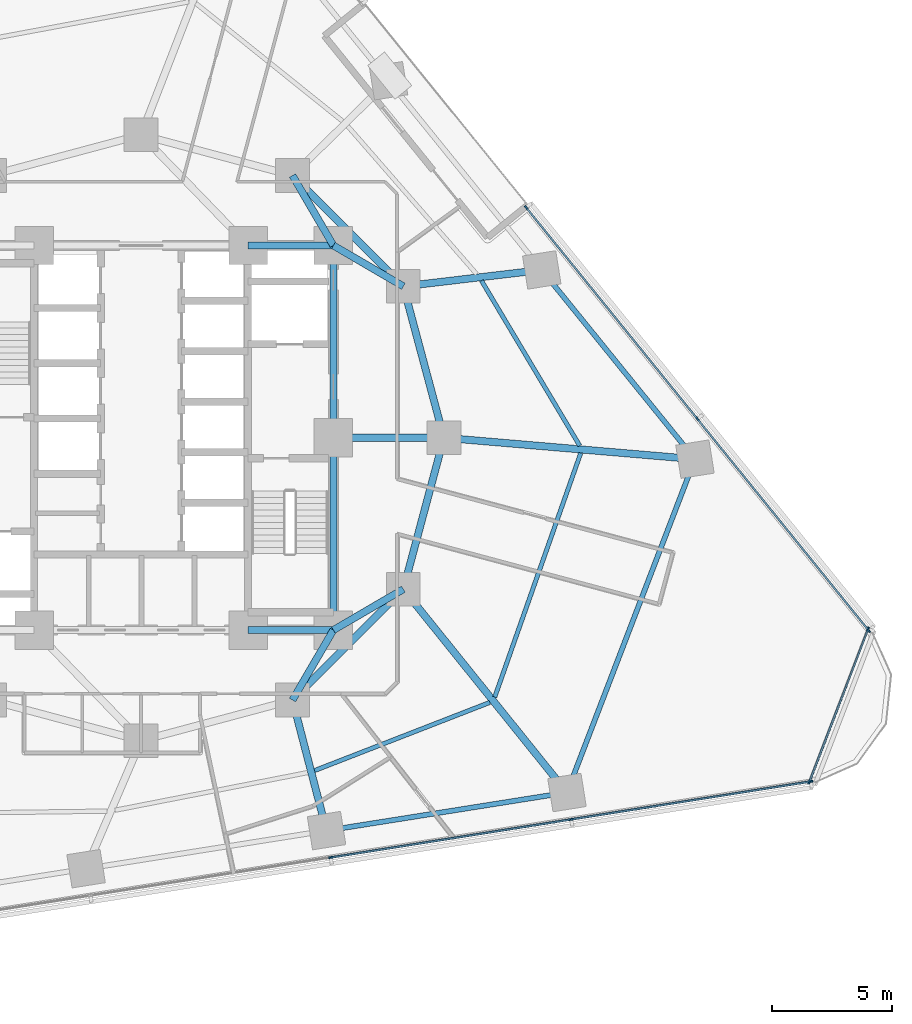
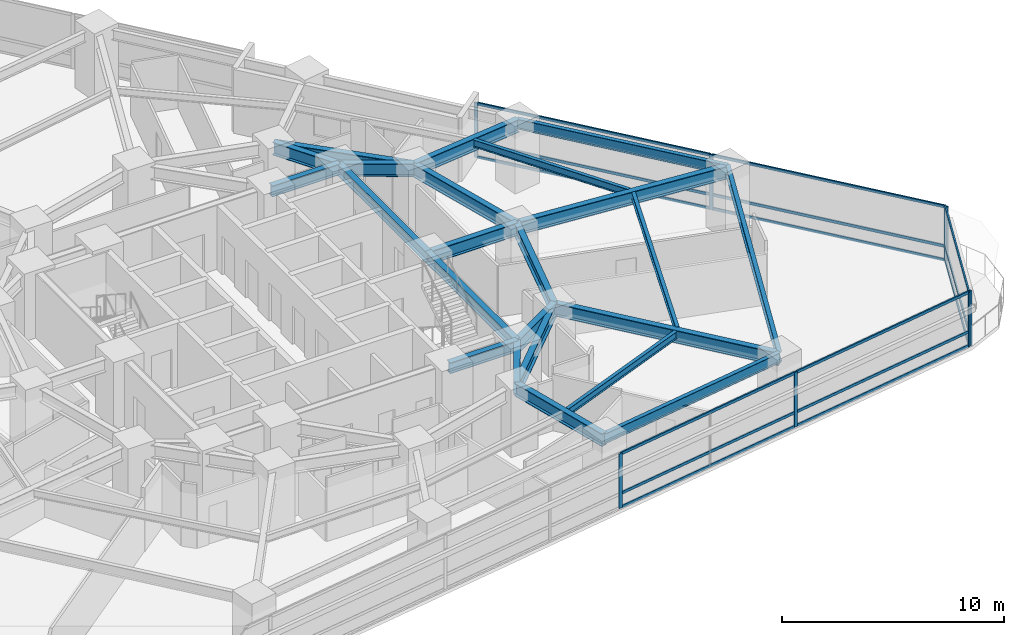
# One storey, part 4 of 13: 23 beams, 23 members, 3 elements without a shape of their own.
"""IFC4 building model written with IfcOpenShell, lengths in metres."""

import ifcopenshell
import ifcopenshell.guid

model = None  # the IFC model being written
_history = None  # IfcOwnerHistory: only IFC2X3 demands one
_inside = {}  # id of a spatial element -> (the spatial element, [elements in it])
_under = {}  # id of a project, library or spatial element -> (it, [spatial elements below it])
_declared = {}  # id of a project -> (the project, [libraries it declares])
_typed = {}  # id of a type object -> (the type object, [elements of that type])
_made_of = {}  # id of a material, layer set ... -> (it, [elements and type objects made of it])


def new_model(schema):
    """Start an empty IFC model of exactly this schema.

    Asked for "IFC4X3", IfcOpenShell would pick the latest addendum, in which some entities
    have other attributes; the version numbers below select the first issue.
    IFC2X3 requires an IfcOwnerHistory on every rooted entity: one is made here for all.
    """
    global model, _history
    if schema == "IFC4X3":
        model = ifcopenshell.file(schema_version=(4, 3, 0, 0))
    else:
        model = ifcopenshell.file(schema=schema)
    _inside.clear()
    _under.clear()
    _declared.clear()
    _typed.clear()
    _made_of.clear()
    _history = None
    if model.schema == "IFC2X3":
        org = make("IfcOrganization", Name="unknown")
        user = make(
            "IfcPersonAndOrganization",
            ThePerson=make("IfcPerson", FamilyName="unknown"),
            TheOrganization=org,
        )
        app = make(
            "IfcApplication",
            ApplicationDeveloper=org,
            Version="unknown",
            ApplicationFullName="unknown",
            ApplicationIdentifier="unknown",
        )
        _history = make(
            "IfcOwnerHistory",
            OwningUser=user,
            OwningApplication=app,
            ChangeAction="ADDED",
            CreationDate=0,
        )
    return model


def make(cls, **values):
    """One entity of the class cls with the attributes given. An attribute that is None is left unset."""
    return model.create_entity(
        cls, **{name: value for name, value in values.items() if value is not None}
    )


def rooted(cls, **values):
    """An entity with a GlobalId (a new one), such as an element, a storey or a relation."""
    return make(cls, GlobalId=ifcopenshell.guid.new(), OwnerHistory=_history, **values)


def si_unit(unit_type, name, prefix=None):
    """IfcSIUnit, for example si_unit("LENGTHUNIT", "METRE", prefix="MILLI")."""
    return make("IfcSIUnit", UnitType=unit_type, Prefix=prefix, Name=name)


def assignment(units):
    """IfcUnitAssignment: the units of a project."""
    return None if units is None else make("IfcUnitAssignment", Units=units)


def point(xyz):
    """IfcCartesianPoint."""
    return None if xyz is None else make("IfcCartesianPoint", Coordinates=xyz)


def direction(xyz):
    """IfcDirection."""
    return None if xyz is None else make("IfcDirection", DirectionRatios=xyz)


def frame(location, z_axis=None, x_axis=None):
    """IfcAxis2Placement3D, a coordinate frame: its origin and axes. An axis left out is left unset."""
    return make(
        "IfcAxis2Placement3D",
        Location=point(location),
        Axis=direction(z_axis),
        RefDirection=direction(x_axis),
    )


def frame_2d(location, x_axis=None):
    """IfcAxis2Placement2D, a coordinate frame in the plane: its origin and x axis."""
    return make(
        "IfcAxis2Placement2D", Location=point(location), RefDirection=direction(x_axis)
    )


def origin():
    """The frame at (0, 0, 0) with its axes left unset."""
    return frame((0.0, 0.0, 0.0))


def origin_2d():
    """The frame at (0, 0) in the plane with its x axis left unset."""
    return frame_2d((0.0, 0.0))


def place(relative_to, where):
    """IfcLocalPlacement: puts the frame where relative to a parent placement (None: the world)."""
    return make(
        "IfcLocalPlacement", PlacementRelTo=relative_to, RelativePlacement=where
    )


def context(
    kind, dimensions, precision=None, world=None, true_north=None, identifier=None
):
    """IfcGeometricRepresentationContext, for example the 3D "Model" context."""
    return make(
        "IfcGeometricRepresentationContext",
        ContextIdentifier=identifier,
        ContextType=kind,
        CoordinateSpaceDimension=dimensions,
        Precision=precision,
        WorldCoordinateSystem=world,
        TrueNorth=true_north,
    )


def subcontext(parent, identifier, kind, view, scale=None):
    """IfcGeometricRepresentationSubContext, for example "Body" below "Model"."""
    return make(
        "IfcGeometricRepresentationSubContext",
        ContextIdentifier=identifier,
        ContextType=kind,
        ParentContext=parent,
        TargetScale=scale,
        TargetView=view,
    )


def project(units=None, contexts=None):
    """IfcProject with its units and contexts."""
    return rooted(
        "IfcProject",
        Name="project",
        RepresentationContexts=contexts,
        UnitsInContext=assignment(units),
    )


def spatial(cls, under=None, at=None, **own):
    """A site, building, storey or space (cls), placed at a placement, below another one or the project."""
    s = rooted(cls, ObjectPlacement=at, **own)
    if under is not None:
        _under.setdefault(under.id(), (under, []))[1].append(s)
    return s


def profile(cls, at=None, kind="AREA", **sizes):
    """A parametric profile (cls). Its sizes go by their IFC names, for example OverallWidth=200.0."""
    return make(cls, ProfileType=kind, Position=at, **sizes)


def rectangle(**sizes):
    """IfcRectangleProfileDef."""
    return profile("IfcRectangleProfileDef", **sizes)


def i_section(**sizes):
    """IfcIShapeProfileDef."""
    return profile("IfcIShapeProfileDef", **sizes)


def extrude(swept, where, along, depth):
    """IfcExtrudedAreaSolid: the profile swept, set in the frame where, extruded along a direction by depth."""
    return make(
        "IfcExtrudedAreaSolid",
        SweptArea=swept,
        Position=where,
        ExtrudedDirection=direction(along),
        Depth=depth,
    )


def shape(context_of_items, identifier, shape_type, items):
    """IfcShapeRepresentation: the items that make up one representation, for example the "Body"."""
    return make(
        "IfcShapeRepresentation",
        ContextOfItems=context_of_items,
        RepresentationIdentifier=identifier,
        RepresentationType=shape_type,
        Items=items,
    )


def material(Name=None, Category=None):
    """IfcMaterial."""
    return make("IfcMaterial", Name=Name, Category=Category)


def layer(
    of_material, thickness, ventilated=None, Name=None, Category=None, Priority=None
):
    """IfcMaterialLayer: one layer of a wall or slab, of a material (None: an air gap)."""
    return make(
        "IfcMaterialLayer",
        Material=of_material,
        LayerThickness=thickness,
        IsVentilated=ventilated,
        Name=Name,
        Category=Category,
        Priority=Priority,
    )


def layer_set(layers, Name=None):
    """IfcMaterialLayerSet."""
    return make("IfcMaterialLayerSet", MaterialLayers=layers, LayerSetName=Name)


def material_profile(
    of_material, cross_section, Name=None, Category=None, Priority=None
):
    """IfcMaterialProfile: a cross section and its material."""
    return make(
        "IfcMaterialProfile",
        Name=Name,
        Material=of_material,
        Profile=cross_section,
        Priority=Priority,
        Category=Category,
    )


def profile_set(profiles, Name=None, composite=None):
    """IfcMaterialProfileSet."""
    return make(
        "IfcMaterialProfileSet",
        Name=Name,
        MaterialProfiles=profiles,
        CompositeProfile=composite,
    )


def made_of(thing, what):
    """Note that an element or type object is made of a material, layer set ...; save() writes the relation."""
    if what is not None:
        _made_of.setdefault(what.id(), (what, []))[1].append(thing)
    return thing


def type_object(cls, material=None, **own):
    """A type object (cls), such as IfcWallType, which elements share."""
    return made_of(rooted(cls, **own), material)


def element(
    cls,
    number,
    at=None,
    inside=None,
    cuts=None,
    type_object=None,
    material=None,
    context=None,
    identifier="Body",
    shape_type=None,
    held_by="IfcProductDefinitionShape",
    body=None,
    shapes=None,
    **own,
):
    """One element of the class cls, such as IfcWall. Its Tag is "e" and its number.

    at: its placement. inside: the storey or other place that contains it. cuts: it is an
    opening in that element (IfcRelVoidsElement). A single representation is given by context,
    identifier, shape_type and body (its items); several are given by shapes. held_by: the class
    of the entity that holds the representations. save() writes the other relations.
    """
    e = rooted(cls, Tag="e%d" % number, ObjectPlacement=at, **own)
    if body is not None:
        shapes = [shape(context, identifier, shape_type, body)]
    if shapes is not None:
        e.Representation = make(held_by, Representations=shapes)
    if inside is not None:
        _inside.setdefault(inside.id(), (inside, []))[1].append(e)
    if cuts is not None:
        rooted(
            "IfcRelVoidsElement", RelatingBuildingElement=cuts, RelatedOpeningElement=e
        )
    if type_object is not None:
        _typed.setdefault(type_object.id(), (type_object, []))[1].append(e)
    return made_of(e, material)


def aggregate(whole, parts):
    """IfcRelAggregates: a whole, such as a stair, and the parts it consists of."""
    return rooted("IfcRelAggregates", RelatingObject=whole, RelatedObjects=parts)


def save(model, path):
    """Write the relations noted so far, then the file.

    IfcRelAggregates (storeys below a building ...), IfcRelContainedInSpatialStructure (elements
    in a storey), IfcRelDefinesByType, IfcRelAssociatesMaterial and IfcRelDeclares: one each for
    every whole, place, type object, material and project.
    """
    for whole, parts in _under.values():
        aggregate(whole, parts)
    for where, things in _inside.values():
        rooted(
            "IfcRelContainedInSpatialStructure",
            RelatedElements=things,
            RelatingStructure=where,
        )
    for kind, things in _typed.values():
        rooted("IfcRelDefinesByType", RelatedObjects=things, RelatingType=kind)
    for what, things in _made_of.values():
        rooted("IfcRelAssociatesMaterial", RelatedObjects=things, RelatingMaterial=what)
    for by, libraries in _declared.values():
        rooted("IfcRelDeclares", RelatingContext=by, RelatedDefinitions=libraries)
    model.write(path)


model = new_model("IFC4")

# Units and contexts
model_context = context("Model", 3, precision=1e-05, world=origin(), true_north=direction((0.0, 1.0)))
body_context = subcontext(model_context, "Body", "Model", "MODEL_VIEW")
ifc_project = project(units=[si_unit("LENGTHUNIT", "METRE"), si_unit("AREAUNIT", "SQUARE_METRE"), si_unit("VOLUMEUNIT", "CUBIC_METRE"), si_unit("PLANEANGLEUNIT", "RADIAN"), si_unit("MASSUNIT", "GRAM", prefix="KILO")], contexts=[model_context])

# Site, building, storey
site_placement = place(None, origin())
site = spatial("IfcSite", under=ifc_project, at=site_placement, CompositionType="ELEMENT")
building_placement = place(site_placement, origin())
building = spatial("IfcBuilding", under=site, at=building_placement, Name="Terralouvre Media Tower", CompositionType="ELEMENT")
storey_placement = place(building_placement, frame((0.0, 0.0, 77.800048828125)))
storey = spatial("IfcBuildingStorey", under=building, at=storey_placement, Name="L19", CompositionType="ELEMENT", Elevation=77.800048828125)

# Beams
ifc_material_1 = material(Name="Structural steel S355J2", Category="steel")
ifc_material_profile_1 = material_profile(ifc_material_1, i_section(OverallWidth=0.179931640625, OverallDepth=0.39990234375, WebThickness=0.008544921875, FlangeThickness=0.013427734375, at=origin_2d()), Name="IPE 400")
ifc_profile_set_1 = profile_set([ifc_material_profile_1], Name="Structural steel S355J2")
beam_type_1 = type_object("IfcBeamType", Name="Composite Floor Joist J-IPE400 (IPE 400)", PredefinedType="JOIST", material=ifc_profile_set_1)
beam_1_placement = place(storey_placement, frame((7.21826171875, -13.844482421875, 3.300048828125), z_axis=(0.931999401601, 0.362459812139, 0.0), x_axis=(-0.362459812139, 0.931999401601, 0.0)))
element("IfcBeam", 1, at=beam_1_placement, inside=storey, type_object=beam_type_1, Name="L19 Framing Beam JT-L19-04", PredefinedType="JOIST", context=body_context, shape_type="SweptSolid", body=[
    extrude(i_section(OverallWidth=0.179931640625, OverallDepth=0.39990234375, WebThickness=0.008544921875, FlangeThickness=0.013427734375, at=origin_2d()), origin(), (0.0, 0.0, 1.0), 7.82470703125),
])
beam_2_placement = place(storey_placement, frame((14.713623046875, -10.78759765625, 3.300048828125), z_axis=(0.332419189209, 0.943131741935, 0.0), x_axis=(-0.943131741935, 0.332419189209, 0.0)))
element("IfcBeam", 2, at=beam_2_placement, inside=storey, type_object=beam_type_1, Name="L19 Framing Beam JT-L19-05", PredefinedType="JOIST", context=body_context, shape_type="SweptSolid", body=[
    extrude(i_section(OverallWidth=0.179931640625, OverallDepth=0.39990234375, WebThickness=0.008544921875, FlangeThickness=0.013427734375, at=origin_2d()), origin(), (0.0, 0.0, 1.0), 10.766845703125),
])
beam_3_placement = place(storey_placement, frame((18.250244140625, -0.331787109375, 3.300048828125), z_axis=(-0.511572999737, 0.859239818642, 0.0), x_axis=(-0.859239818642, -0.511572999737, 0.0)))
element("IfcBeam", 3, at=beam_3_placement, inside=storey, type_object=beam_type_1, Name="L19 Framing Beam JT-L19-06", PredefinedType="JOIST", context=body_context, shape_type="SweptSolid", body=[
    extrude(i_section(OverallWidth=0.179931640625, OverallDepth=0.39990234375, WebThickness=0.008544921875, FlangeThickness=0.013427734375, at=origin_2d()), origin(), (0.0, 0.0, 1.0), 7.99267578125),
])

# Curtain wall, members
ifc_material_2 = material(Name="Low-iron laminated double glazing with solar-control coating", Category="glass")
ifc_layer_1 = layer(ifc_material_2, 0.1650390625, Name="Lower Media Tower Unitised Curtain Wall CW-02")
ifc_layer_set_1 = layer_set([ifc_layer_1], Name="Low-iron laminated double glazing with solar-control coating")
curtain_wall_type_1 = type_object("IfcCurtainWallType", Name="Lower Media Tower Unitised Curtain Wall CW-02", PredefinedType="NOTDEFINED", material=ifc_layer_set_1)
curtain_wall_1_placement = place(storey_placement, origin())
curtain_wall_1 = element("IfcCurtainWall", 4, at=curtain_wall_1_placement, inside=storey, type_object=curtain_wall_type_1, Name="L19 Facade Curtain Wall F0", PredefinedType="NOTDEFINED")
ifc_material_3 = material(Name="Anodised extruded aluminium 6063-T6", Category="aluminium")
ifc_material_profile_2 = material_profile(ifc_material_3, rectangle(XDim=0.074951171875, YDim=0.14990234375, at=origin_2d()), Name="ALU 75x150")
ifc_profile_set_2 = profile_set([ifc_material_profile_2], Name="Anodised extruded aluminium 6063-T6")
member_type_1 = type_object("IfcMemberType", Name="Curtain-Wall Horizontal Transom TR-150", PredefinedType="USERDEFINED", material=ifc_profile_set_2)
member_1_placement = place(storey_placement, frame((7.929443359375, -17.452880859375, 0.037353515625), z_axis=(0.987690198625, 0.156422733448, 0.0), x_axis=(-0.156422733448, 0.987690198625, 0.0)))
member_1 = element("IfcMember", 5, at=member_1_placement, type_object=member_type_1, Name="CW-02 transom 4.1", ObjectType="TRANSOM", PredefinedType="USERDEFINED", context=body_context, shape_type="SweptSolid", body=[
    extrude(rectangle(XDim=0.074951171875, YDim=0.14990234375, at=origin_2d()), origin(), (0.0, 0.0, 1.0), 10.052978515625),
])
member_2_placement = place(storey_placement, frame((7.929443359375, -17.452880859375, 0.800048828125), z_axis=(0.987690198625, 0.156422733448, 0.0), x_axis=(-0.156422733448, 0.987690198625, 0.0)))
member_2 = element("IfcMember", 6, at=member_2_placement, type_object=member_type_1, Name="CW-02 transom 4.2", ObjectType="TRANSOM", PredefinedType="USERDEFINED", context=body_context, shape_type="SweptSolid", body=[
    extrude(rectangle(XDim=0.074951171875, YDim=0.14990234375, at=origin_2d()), origin(), (0.0, 0.0, 1.0), 10.052978515625),
])
member_3_placement = place(storey_placement, frame((7.929443359375, -17.452880859375, 2.96240234375), z_axis=(0.987690198625, 0.156422733448, 0.0), x_axis=(-0.156422733448, 0.987690198625, 0.0)))
member_3 = element("IfcMember", 7, at=member_3_placement, type_object=member_type_1, Name="CW-02 transom 4.3", ObjectType="TRANSOM", PredefinedType="USERDEFINED", context=body_context, shape_type="SweptSolid", body=[
    extrude(rectangle(XDim=0.074951171875, YDim=0.14990234375, at=origin_2d()), origin(), (0.0, 0.0, 1.0), 10.052978515625),
])
member_4_placement = place(storey_placement, frame((17.9326171875, -15.86865234375, 0.037353515625), z_axis=(0.987686755457, 0.156444472878, 0.0), x_axis=(-0.156444472878, 0.987686755457, 0.0)))
member_4 = element("IfcMember", 8, at=member_4_placement, type_object=member_type_1, Name="CW-02 transom 5.1", ObjectType="TRANSOM", PredefinedType="USERDEFINED", context=body_context, shape_type="SweptSolid", body=[
    extrude(rectangle(XDim=0.074951171875, YDim=0.14990234375, at=origin_2d()), origin(), (0.0, 0.0, 1.0), 10.015625),
])
member_5_placement = place(storey_placement, frame((17.9326171875, -15.86865234375, 0.800048828125), z_axis=(0.987686755457, 0.156444472878, 0.0), x_axis=(-0.156444472878, 0.987686755457, 0.0)))
member_5 = element("IfcMember", 9, at=member_5_placement, type_object=member_type_1, Name="CW-02 transom 5.2", ObjectType="TRANSOM", PredefinedType="USERDEFINED", context=body_context, shape_type="SweptSolid", body=[
    extrude(rectangle(XDim=0.074951171875, YDim=0.14990234375, at=origin_2d()), origin(), (0.0, 0.0, 1.0), 10.015625),
])
member_6_placement = place(storey_placement, frame((17.9326171875, -15.86865234375, 2.96240234375), z_axis=(0.987686755457, 0.156444472878, 0.0), x_axis=(-0.156444472878, 0.987686755457, 0.0)))
member_6 = element("IfcMember", 10, at=member_6_placement, type_object=member_type_1, Name="CW-02 transom 5.3", ObjectType="TRANSOM", PredefinedType="USERDEFINED", context=body_context, shape_type="SweptSolid", body=[
    extrude(rectangle(XDim=0.074951171875, YDim=0.14990234375, at=origin_2d()), origin(), (0.0, 0.0, 1.0), 10.015625),
])

curtain_wall_2_placement = place(storey_placement, origin())
curtain_wall_2 = element("IfcCurtainWall", 11, at=curtain_wall_2_placement, inside=storey, type_object=curtain_wall_type_1, Name="L19 Left Flank Curtain Wall F1", PredefinedType="NOTDEFINED")
member_7_placement = place(storey_placement, frame((30.247802734375, -7.990234375, 0.037353515625), z_axis=(-0.629324353517, 0.777142752698, 0.0), x_axis=(-0.777142752698, -0.629324353517, 0.0)))
member_7 = element("IfcMember", 12, at=member_7_placement, type_object=member_type_1, Name="CW-02 transom 1.1", ObjectType="TRANSOM", PredefinedType="USERDEFINED", context=body_context, shape_type="SweptSolid", body=[
    extrude(rectangle(XDim=0.074951171875, YDim=0.14990234375, at=origin_2d()), origin(), (0.0, 0.0, 1.0), 11.24755859375),
])
member_8_placement = place(storey_placement, frame((30.247802734375, -7.990234375, 0.800048828125), z_axis=(-0.629324353517, 0.777142752698, 0.0), x_axis=(-0.777142752698, -0.629324353517, 0.0)))
member_8 = element("IfcMember", 13, at=member_8_placement, type_object=member_type_1, Name="CW-02 transom 1.2", ObjectType="TRANSOM", PredefinedType="USERDEFINED", context=body_context, shape_type="SweptSolid", body=[
    extrude(rectangle(XDim=0.074951171875, YDim=0.14990234375, at=origin_2d()), origin(), (0.0, 0.0, 1.0), 11.24755859375),
])
member_9_placement = place(storey_placement, frame((30.247802734375, -7.990234375, 2.96240234375), z_axis=(-0.629324353517, 0.777142752698, 0.0), x_axis=(-0.777142752698, -0.629324353517, 0.0)))
member_9 = element("IfcMember", 14, at=member_9_placement, type_object=member_type_1, Name="CW-02 transom 1.3", ObjectType="TRANSOM", PredefinedType="USERDEFINED", context=body_context, shape_type="SweptSolid", body=[
    extrude(rectangle(XDim=0.074951171875, YDim=0.14990234375, at=origin_2d()), origin(), (0.0, 0.0, 1.0), 11.24755859375),
])
member_10_placement = place(storey_placement, frame((23.122314453125, 0.80908203125, 0.037353515625), z_axis=(-0.629324353517, 0.777142752698, 0.0), x_axis=(-0.777142752698, -0.629324353517, 0.0)))
member_10 = element("IfcMember", 15, at=member_10_placement, type_object=member_type_1, Name="CW-02 transom 2.1", ObjectType="TRANSOM", PredefinedType="USERDEFINED", context=body_context, shape_type="SweptSolid", body=[
    extrude(rectangle(XDim=0.074951171875, YDim=0.14990234375, at=origin_2d()), origin(), (0.0, 0.0, 1.0), 11.24755859375),
])
member_11_placement = place(storey_placement, frame((23.122314453125, 0.80908203125, 0.800048828125), z_axis=(-0.629324353517, 0.777142752698, 0.0), x_axis=(-0.777142752698, -0.629324353517, 0.0)))
member_11 = element("IfcMember", 16, at=member_11_placement, type_object=member_type_1, Name="CW-02 transom 2.2", ObjectType="TRANSOM", PredefinedType="USERDEFINED", context=body_context, shape_type="SweptSolid", body=[
    extrude(rectangle(XDim=0.074951171875, YDim=0.14990234375, at=origin_2d()), origin(), (0.0, 0.0, 1.0), 11.24755859375),
])
member_12_placement = place(storey_placement, frame((23.122314453125, 0.80908203125, 2.96240234375), z_axis=(-0.629324353517, 0.777142752698, 0.0), x_axis=(-0.777142752698, -0.629324353517, 0.0)))
member_12 = element("IfcMember", 17, at=member_12_placement, type_object=member_type_1, Name="CW-02 transom 2.3", ObjectType="TRANSOM", PredefinedType="USERDEFINED", context=body_context, shape_type="SweptSolid", body=[
    extrude(rectangle(XDim=0.074951171875, YDim=0.14990234375, at=origin_2d()), origin(), (0.0, 0.0, 1.0), 11.24755859375),
])

ifc_material_4 = material(Name="Low-iron laminated double glazing with solar-control coating", Category="glass")
ifc_layer_2 = layer(ifc_material_4, 0.1650390625, Name="Rounded Wind-Corner Curved Glazing CW-04")
ifc_layer_set_2 = layer_set([ifc_layer_2], Name="Low-iron laminated double glazing with solar-control coating")
curtain_wall_type_2 = type_object("IfcCurtainWallType", Name="Rounded Wind-Corner Curved Glazing CW-04", PredefinedType="NOTDEFINED", material=ifc_layer_set_2)
curtain_wall_3_placement = place(storey_placement, origin())
curtain_wall_3 = element("IfcCurtainWall", 18, at=curtain_wall_3_placement, inside=storey, type_object=curtain_wall_type_2, Name="L19 Rounded Wind-Corner Curtain Wall C1", PredefinedType="NOTDEFINED")
member_13_placement = place(storey_placement, frame((27.81396484375, -14.288330078125, 0.037353515625), z_axis=(0.358345802392, 0.933588927691, 0.0), x_axis=(-0.933588927691, 0.358345802392, 0.0)))
member_13 = element("IfcMember", 19, at=member_13_placement, type_object=member_type_1, Name="CW-04 transom 1.1", ObjectType="TRANSOM", PredefinedType="USERDEFINED", context=body_context, shape_type="SweptSolid", body=[
    extrude(rectangle(XDim=0.074951171875, YDim=0.14990234375, at=origin_2d()), origin(), (0.0, 0.0, 1.0), 6.743408203125),
])
member_14_placement = place(storey_placement, frame((27.81396484375, -14.288330078125, 0.800048828125), z_axis=(0.358345802392, 0.933588927691, 0.0), x_axis=(-0.933588927691, 0.358345802392, 0.0)))
member_14 = element("IfcMember", 20, at=member_14_placement, type_object=member_type_1, Name="CW-04 transom 1.2", ObjectType="TRANSOM", PredefinedType="USERDEFINED", context=body_context, shape_type="SweptSolid", body=[
    extrude(rectangle(XDim=0.074951171875, YDim=0.14990234375, at=origin_2d()), origin(), (0.0, 0.0, 1.0), 6.743408203125),
])
member_15_placement = place(storey_placement, frame((27.81396484375, -14.288330078125, 2.96240234375), z_axis=(0.358345802392, 0.933588927691, 0.0), x_axis=(-0.933588927691, 0.358345802392, 0.0)))
member_15 = element("IfcMember", 21, at=member_15_placement, type_object=member_type_1, Name="CW-04 transom 1.3", ObjectType="TRANSOM", PredefinedType="USERDEFINED", context=body_context, shape_type="SweptSolid", body=[
    extrude(rectangle(XDim=0.074951171875, YDim=0.14990234375, at=origin_2d()), origin(), (0.0, 0.0, 1.0), 6.743408203125),
])

# Member
ifc_material_5 = material(Name="Anodised extruded aluminium 6063-T6", Category="aluminium")
ifc_material_profile_3 = material_profile(ifc_material_5, rectangle(XDim=0.074951171875, YDim=0.179931640625, at=origin_2d()), Name="ALU 75x180")
ifc_profile_set_3 = profile_set([ifc_material_profile_3], Name="Anodised extruded aluminium 6063-T6")
member_type_2 = type_object("IfcMemberType", Name="Curtain-Wall Vertical Mullion ML-180", PredefinedType="MULLION", material=ifc_profile_set_3)
member_16_placement = place(storey_placement, frame((7.892333984375, -17.458740234375, 0.0), z_axis=(0.0, 0.0, 1.0), x_axis=(-0.156434462903, 0.987688340934, 0.0)))
member_16 = element("IfcMember", 22, at=member_16_placement, type_object=member_type_2, Name="CW-02 mullion 4", PredefinedType="MULLION", context=body_context, shape_type="SweptSolid", body=[
    extrude(rectangle(XDim=0.074951171875, YDim=0.179931640625, at=origin_2d()), origin(), (0.0, 0.0, 1.0), 3.0),
])

member_17_placement = place(storey_placement, frame((17.895751953125, -15.87451171875, 0.0), z_axis=(0.0, 0.0, 1.0), x_axis=(-0.156434462903, 0.987688340934, 0.0)))
member_17 = element("IfcMember", 23, at=member_17_placement, type_object=member_type_2, Name="CW-02 mullion 5", PredefinedType="MULLION", context=body_context, shape_type="SweptSolid", body=[
    extrude(rectangle(XDim=0.074951171875, YDim=0.179931640625, at=origin_2d()), origin(), (0.0, 0.0, 1.0), 3.0),
])

member_18_placement = place(storey_placement, frame((27.86181640625, -14.2958984375, 0.0), z_axis=(0.0, 0.0, 1.0), x_axis=(-0.156434462903, 0.987688340934, 0.0)))
member_18 = element("IfcMember", 24, at=member_18_placement, type_object=member_type_2, Name="CW-02 mullion 6", PredefinedType="MULLION", context=body_context, shape_type="SweptSolid", body=[
    extrude(rectangle(XDim=0.074951171875, YDim=0.179931640625, at=origin_2d()), origin(), (0.0, 0.0, 1.0), 3.0),
])

aggregate(curtain_wall_1, [member_16, member_17, member_18, member_1, member_2, member_3, member_4, member_5, member_6])

member_19_placement = place(storey_placement, frame((30.271240234375, -8.019287109375, 0.0), z_axis=(0.0, 0.0, 1.0), x_axis=(-0.777146052468, -0.629320278661, 0.0)))
member_19 = element("IfcMember", 25, at=member_19_placement, type_object=member_type_2, Name="CW-02 mullion 1", PredefinedType="MULLION", context=body_context, shape_type="SweptSolid", body=[
    extrude(rectangle(XDim=0.074951171875, YDim=0.179931640625, at=origin_2d()), origin(), (0.0, 0.0, 1.0), 3.0),
])

member_20_placement = place(storey_placement, frame((23.145751953125, 0.780029296875, 0.0), z_axis=(0.0, 0.0, 1.0), x_axis=(-0.777146052468, -0.629320278661, 0.0)))
member_20 = element("IfcMember", 26, at=member_20_placement, type_object=member_type_2, Name="CW-02 mullion 2", PredefinedType="MULLION", context=body_context, shape_type="SweptSolid", body=[
    extrude(rectangle(XDim=0.074951171875, YDim=0.179931640625, at=origin_2d()), origin(), (0.0, 0.0, 1.0), 3.0),
])

member_21_placement = place(storey_placement, frame((16.020263671875, 9.5791015625, 0.0), z_axis=(0.0, 0.0, 1.0), x_axis=(-0.777146052468, -0.629320278661, 0.0)))
member_21 = element("IfcMember", 27, at=member_21_placement, type_object=member_type_2, Name="CW-02 mullion 3", PredefinedType="MULLION", context=body_context, shape_type="SweptSolid", body=[
    extrude(rectangle(XDim=0.074951171875, YDim=0.179931640625, at=origin_2d()), origin(), (0.0, 0.0, 1.0), 3.0),
])

aggregate(curtain_wall_2, [member_19, member_20, member_21, member_7, member_8, member_9, member_10, member_11, member_12])

member_22_placement = place(storey_placement, frame((27.800537109375, -14.323486328125, 0.0), z_axis=(0.0, 0.0, 1.0), x_axis=(-0.933580609478, 0.358367472863, 0.0)))
member_22 = element("IfcMember", 28, at=member_22_placement, type_object=member_type_2, Name="CW-04 mullion 1", PredefinedType="MULLION", context=body_context, shape_type="SweptSolid", body=[
    extrude(rectangle(XDim=0.074951171875, YDim=0.179931640625, at=origin_2d()), origin(), (0.0, 0.0, 1.0), 3.0),
])

member_23_placement = place(storey_placement, frame((30.243896484375, -7.957763671875, 0.0), z_axis=(0.0, 0.0, 1.0), x_axis=(-0.933580609478, 0.358367472863, 0.0)))
member_23 = element("IfcMember", 29, at=member_23_placement, type_object=member_type_2, Name="CW-04 mullion 2", PredefinedType="MULLION", context=body_context, shape_type="SweptSolid", body=[
    extrude(rectangle(XDim=0.074951171875, YDim=0.179931640625, at=origin_2d()), origin(), (0.0, 0.0, 1.0), 3.0),
])

aggregate(curtain_wall_3, [member_22, member_23, member_13, member_14, member_15])

# Beams
ifc_material_6 = material(Name="Structural steel S355J2", Category="steel")
ifc_material_profile_4 = material_profile(ifc_material_6, i_section(OverallWidth=0.2099609375, OverallDepth=0.550048828125, WebThickness=0.010986328125, FlangeThickness=0.01708984375, at=origin_2d()), Name="IPE 550")
ifc_profile_set_4 = profile_set([ifc_material_profile_4], Name="Structural steel S355J2")
beam_type_2 = type_object("IfcBeamType", Name="Perimeter Spandrel Beam SPB-550 (IPE 550)", PredefinedType="SPANDREL", material=ifc_profile_set_4)
beam_4_placement = place(storey_placement, frame((7.715576171875, -16.3427734375, 3.224853515625), z_axis=(0.987686424887, 0.156446559869, 0.0), x_axis=(-0.156446559869, 0.987686424887, 0.0)))
element("IfcBeam", 30, at=beam_4_placement, inside=storey, type_object=beam_type_2, Name="L19 Framing Beam BM-L19-PR04", PredefinedType="SPANDREL", context=body_context, shape_type="SweptSolid", body=[
    extrude(i_section(OverallWidth=0.2099609375, OverallDepth=0.550048828125, WebThickness=0.010986328125, FlangeThickness=0.01708984375, at=origin_2d()), origin(), (0.0, 0.0, 1.0), 10.1279296875),
])
beam_5_placement = place(storey_placement, frame((17.71875, -14.75830078125, 3.224853515625), z_axis=(0.358377748767, 0.933576664869, 0.0), x_axis=(-0.933576664869, 0.358377748767, 0.0)))
element("IfcBeam", 31, at=beam_5_placement, inside=storey, type_object=beam_type_2, Name="L19 Framing Beam BM-L19-PR05", PredefinedType="SPANDREL", context=body_context, shape_type="SweptSolid", body=[
    extrude(i_section(OverallWidth=0.2099609375, OverallDepth=0.550048828125, WebThickness=0.010986328125, FlangeThickness=0.01708984375, at=origin_2d()), origin(), (0.0, 0.0, 1.0), 14.8564453125),
])
beam_6_placement = place(storey_placement, frame((23.04296875, -0.888671875, 3.224853515625), z_axis=(-0.629314025627, 0.777151116031, 0.0), x_axis=(-0.777151116031, -0.629314025627, 0.0)))
element("IfcBeam", 32, at=beam_6_placement, inside=storey, type_object=beam_type_2, Name="L19 Framing Beam BM-L19-PR06", PredefinedType="SPANDREL", context=body_context, shape_type="SweptSolid", body=[
    extrude(i_section(OverallWidth=0.2099609375, OverallDepth=0.550048828125, WebThickness=0.010986328125, FlangeThickness=0.01708984375, at=origin_2d()), origin(), (0.0, 0.0, 1.0), 10.128173828125),
])
ifc_material_7 = material(Name="Structural steel S460M", Category="steel")
ifc_material_profile_5 = material_profile(ifc_material_7, i_section(OverallWidth=0.300048828125, OverallDepth=0.60009765625, WebThickness=0.015380859375, FlangeThickness=0.030029296875, at=origin_2d()), Name="HEB 600")
ifc_profile_set_5 = profile_set([ifc_material_profile_5], Name="Structural steel S460M")
beam_type_3 = type_object("IfcBeamType", Name="Primary Floor Girder B-HEB600 (HEB 600)", PredefinedType="BEAM", material=ifc_profile_set_5)
beam_7_placement = place(storey_placement, frame((4.449951171875, -8.0, 3.199951171875), z_axis=(1.0, 0.0, 0.0), x_axis=(0.0, 1.0, 0.0)))
element("IfcBeam", 33, at=beam_7_placement, inside=storey, type_object=beam_type_3, Name="L19 Framing Beam BM-L19-CPR03", PredefinedType="BEAM", context=body_context, shape_type="SweptSolid", body=[
    extrude(i_section(OverallWidth=0.300048828125, OverallDepth=0.60009765625, WebThickness=0.015380859375, FlangeThickness=0.030029296875, at=origin_2d()), origin(), (0.0, 0.0, 1.0), 3.550048828125),
])
for number, where, z_axis, x_axis, name in (
    (34, (8.0, -8.0, 3.199951171875), (0.0, 1.0, 0.0), (-1.0, 0.0, 0.0), "L19 Framing Beam BM-L19-CPR04"),
    (35, (8.0, 0.0, 3.199951171875), (0.0, 1.0, 0.0), (-1.0, 0.0, 0.0), "L19 Framing Beam BM-L19-CPR05"),
):
    element("IfcBeam", number, at=place(storey_placement, frame(where, z_axis=z_axis, x_axis=x_axis)), inside=storey, type_object=beam_type_3, Name=name, PredefinedType="BEAM", context=body_context, shape_type="SweptSolid", body=[
        extrude(i_section(OverallWidth=0.300048828125, OverallDepth=0.60009765625, WebThickness=0.015380859375, FlangeThickness=0.030029296875, at=origin_2d()), origin(), (0.0, 0.0, 1.0), 8.0),
    ])
beam_8_placement = place(storey_placement, frame((8.0, 8.0, 3.199951171875), z_axis=(-1.0, 0.0, 0.0), x_axis=(0.0, -1.0, 0.0)))
element("IfcBeam", 36, at=beam_8_placement, inside=storey, type_object=beam_type_3, Name="L19 Framing Beam BM-L19-CPR06", PredefinedType="BEAM", context=body_context, shape_type="SweptSolid", body=[
    extrude(i_section(OverallWidth=0.300048828125, OverallDepth=0.60009765625, WebThickness=0.015380859375, FlangeThickness=0.030029296875, at=origin_2d()), origin(), (0.0, 0.0, 1.0), 3.550048828125),
])
ifc_material_8 = material(Name="Structural steel S460M", Category="steel")
ifc_material_profile_6 = material_profile(ifc_material_8, i_section(OverallWidth=0.300048828125, OverallDepth=0.699951171875, WebThickness=0.01708984375, FlangeThickness=0.031982421875, at=origin_2d()), Name="HEB 700")
ifc_profile_set_6 = profile_set([ifc_material_profile_6], Name="Structural steel S460M")
beam_type_4 = type_object("IfcBeamType", Name="Primary Floor Girder B-HEB700 (HEB 700)", PredefinedType="BEAM", material=ifc_profile_set_6)
beam_9_placement = place(storey_placement, frame((6.300048828125, -10.911865234375, 3.14990234375), z_axis=(0.707106781187, 0.707106781187, 0.0), x_axis=(-0.707106781187, 0.707106781187, 0.0)))
element("IfcBeam", 37, at=beam_9_placement, inside=storey, type_object=beam_type_4, Name="L19 Framing Beam BM-L19-MR04", PredefinedType="BEAM", context=body_context, shape_type="SweptSolid", body=[
    extrude(i_section(OverallWidth=0.300048828125, OverallDepth=0.699951171875, WebThickness=0.01708984375, FlangeThickness=0.031982421875, at=origin_2d()), origin(), (0.0, 0.0, 1.0), 6.52197265625),
])
for number, where, z_axis, x_axis, name in (
    (38, (10.911865234375, -6.300048828125, 3.14990234375), (0.258838989821, 0.965920481897, 0.0), (-0.965920481897, 0.258838989821, 0.0), "L19 Framing Beam BM-L19-MR05"),
    (39, (12.60009765625, 0.0, 3.14990234375), (-0.258838989821, 0.965920481897, 0.0), (-0.965920481897, -0.258838989821, 0.0), "L19 Framing Beam BM-L19-MR06"),
):
    element("IfcBeam", number, at=place(storey_placement, frame(where, z_axis=z_axis, x_axis=x_axis)), inside=storey, type_object=beam_type_4, Name=name, PredefinedType="BEAM", context=body_context, shape_type="SweptSolid", body=[
        extrude(i_section(OverallWidth=0.300048828125, OverallDepth=0.699951171875, WebThickness=0.01708984375, FlangeThickness=0.031982421875, at=origin_2d()), origin(), (0.0, 0.0, 1.0), 6.522216796875),
    ])
beam_10_placement = place(storey_placement, frame((10.911865234375, 6.300048828125, 3.14990234375), z_axis=(-0.707106781187, 0.707106781187, 0.0), x_axis=(-0.707106781187, -0.707106781187, 0.0)))
element("IfcBeam", 40, at=beam_10_placement, inside=storey, type_object=beam_type_4, Name="L19 Framing Beam BM-L19-MR07", PredefinedType="BEAM", context=body_context, shape_type="SweptSolid", body=[
    extrude(i_section(OverallWidth=0.300048828125, OverallDepth=0.699951171875, WebThickness=0.01708984375, FlangeThickness=0.031982421875, at=origin_2d()), origin(), (0.0, 0.0, 1.0), 6.52197265625),
])
for number, where, z_axis, x_axis, name in (
    (41, (8.0, -8.0, 3.14990234375), (-0.504172629717, -0.863602894532, 0.0), (0.863602894532, -0.504172629717, 0.0), "L19 Framing Beam BM-L19-CM04"),
    (42, (8.0, -8.0, 3.14990234375), (0.863602894532, 0.504172629717, 0.0), (-0.504172629717, 0.863602894532, 0.0), "L19 Framing Beam BM-L19-CM05"),
):
    element("IfcBeam", number, at=place(storey_placement, frame(where, z_axis=z_axis, x_axis=x_axis)), inside=storey, type_object=beam_type_4, Name=name, PredefinedType="BEAM", context=body_context, shape_type="SweptSolid", body=[
        extrude(i_section(OverallWidth=0.300048828125, OverallDepth=0.699951171875, WebThickness=0.01708984375, FlangeThickness=0.031982421875, at=origin_2d()), origin(), (0.0, 0.0, 1.0), 3.371826171875),
    ])
beam_11_placement = place(storey_placement, frame((8.0, 0.0, 3.14990234375), z_axis=(1.0, 0.0, 0.0), x_axis=(0.0, 1.0, 0.0)))
element("IfcBeam", 43, at=beam_11_placement, inside=storey, type_object=beam_type_4, Name="L19 Framing Beam BM-L19-CM06", PredefinedType="BEAM", context=body_context, shape_type="SweptSolid", body=[
    extrude(i_section(OverallWidth=0.300048828125, OverallDepth=0.699951171875, WebThickness=0.01708984375, FlangeThickness=0.031982421875, at=origin_2d()), origin(), (0.0, 0.0, 1.0), 4.60009765625),
])
for number, where, z_axis, x_axis, name in (
    (44, (8.0, 8.0, 3.14990234375), (0.863602894532, -0.504172629717, 0.0), (0.504172629717, 0.863602894532, 0.0), "L19 Framing Beam BM-L19-CM07"),
    (45, (8.0, 8.0, 3.14990234375), (-0.504172629717, 0.863602894532, 0.0), (-0.863602894532, -0.504172629717, 0.0), "L19 Framing Beam BM-L19-CM08"),
):
    element("IfcBeam", number, at=place(storey_placement, frame(where, z_axis=z_axis, x_axis=x_axis)), inside=storey, type_object=beam_type_4, Name=name, PredefinedType="BEAM", context=body_context, shape_type="SweptSolid", body=[
        extrude(i_section(OverallWidth=0.300048828125, OverallDepth=0.699951171875, WebThickness=0.01708984375, FlangeThickness=0.031982421875, at=origin_2d()), origin(), (0.0, 0.0, 1.0), 3.371826171875),
    ])
beam_12_placement = place(storey_placement, frame((6.300048828125, -10.911865234375, 3.14990234375), z_axis=(0.252216476238, -0.967670837172, 0.0), x_axis=(0.967670837172, 0.252216476238, 0.0)))
element("IfcBeam", 46, at=beam_12_placement, inside=storey, type_object=beam_type_4, Name="L19 Framing Beam BM-L19-RD04", PredefinedType="BEAM", context=body_context, shape_type="SweptSolid", body=[
    extrude(i_section(OverallWidth=0.300048828125, OverallDepth=0.699951171875, WebThickness=0.01708984375, FlangeThickness=0.031982421875, at=origin_2d()), origin(), (0.0, 0.0, 1.0), 5.6123046875),
])
beam_13_placement = place(storey_placement, frame((10.911865234375, -6.300048828125, 3.14990234375), z_axis=(0.626954818356, -0.779055617874, 0.0), x_axis=(0.779055617874, 0.626954818356, 0.0)))
element("IfcBeam", 47, at=beam_13_placement, inside=storey, type_object=beam_type_4, Name="L19 Framing Beam BM-L19-RD05", PredefinedType="BEAM", context=body_context, shape_type="SweptSolid", body=[
    extrude(i_section(OverallWidth=0.300048828125, OverallDepth=0.699951171875, WebThickness=0.01708984375, FlangeThickness=0.031982421875, at=origin_2d()), origin(), (0.0, 0.0, 1.0), 10.857177734375),
])
beam_14_placement = place(storey_placement, frame((12.60009765625, 0.0, 3.14990234375), z_axis=(0.996398677219, -0.084791957382, 0.0), x_axis=(0.084791957382, 0.996398677219, 0.0)))
element("IfcBeam", 48, at=beam_14_placement, inside=storey, type_object=beam_type_4, Name="L19 Framing Beam BM-L19-RD06", PredefinedType="BEAM", context=body_context, shape_type="SweptSolid", body=[
    extrude(i_section(OverallWidth=0.300048828125, OverallDepth=0.699951171875, WebThickness=0.01708984375, FlangeThickness=0.031982421875, at=origin_2d()), origin(), (0.0, 0.0, 1.0), 10.480712890625),
])
beam_15_placement = place(storey_placement, frame((10.911865234375, 6.300048828125, 3.14990234375), z_axis=(0.993049341372, 0.117698791838, 0.0), x_axis=(-0.117698791838, 0.993049341372, 0.0)))
element("IfcBeam", 49, at=beam_15_placement, inside=storey, type_object=beam_type_4, Name="L19 Framing Beam BM-L19-RD07", PredefinedType="BEAM", context=body_context, shape_type="SweptSolid", body=[
    extrude(i_section(OverallWidth=0.300048828125, OverallDepth=0.699951171875, WebThickness=0.01708984375, FlangeThickness=0.031982421875, at=origin_2d()), origin(), (0.0, 0.0, 1.0), 5.797607421875),
])

save(model, "model.ifc")
